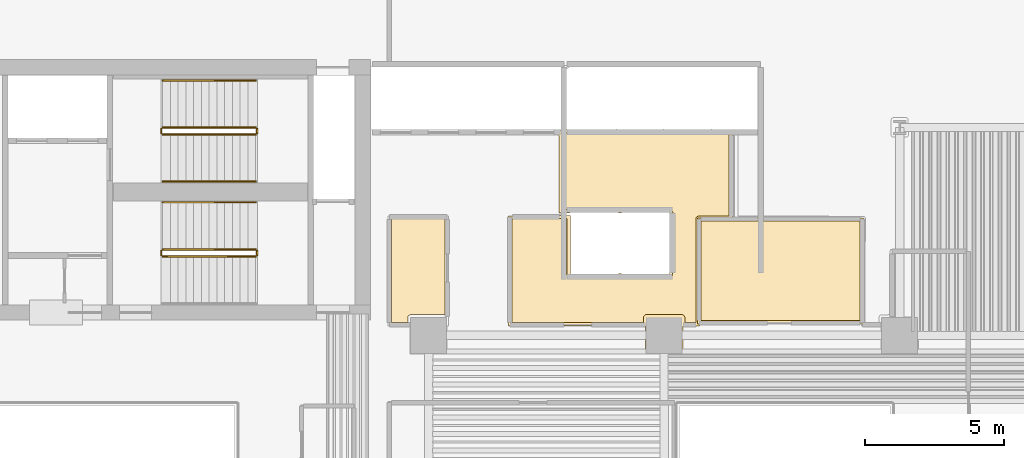
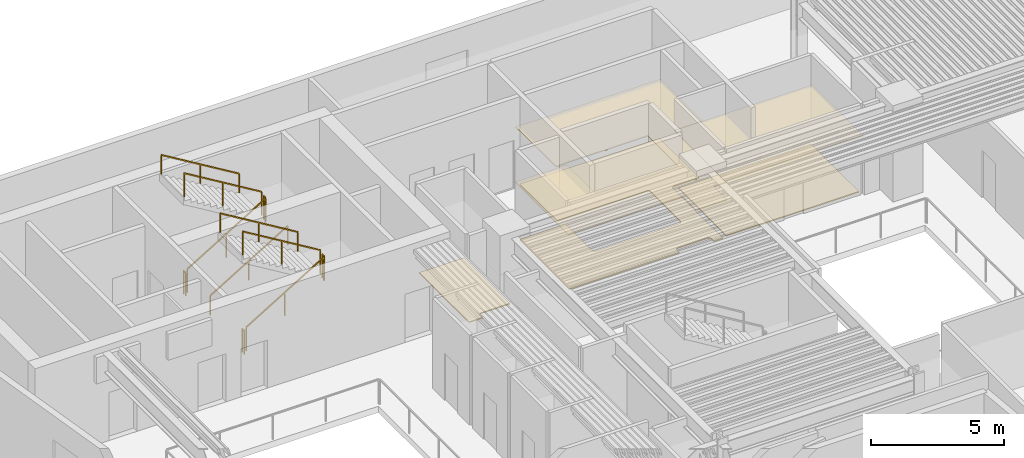
# One storey, part 11 of 12: 11 railings, 5 coverings.
"""IFC4 building model written with IfcOpenShell, lengths in metres."""

from ifc_helpers import new_model, si_unit, direction, frame, origin, origin_2d, place, context, subcontext, project, spatial, polyline, rectangle, outline, extrude, material, layer, layer_set, type_object, element, save


model = new_model("IFC4")

# Units and contexts
model_context = context("Model", 3, precision=1e-05, world=origin(), true_north=direction((0.0, 1.0)))
body_context = subcontext(model_context, "Body", "Model", "MODEL_VIEW")
ifc_project = project(units=[si_unit("LENGTHUNIT", "METRE"), si_unit("AREAUNIT", "SQUARE_METRE"), si_unit("VOLUMEUNIT", "CUBIC_METRE"), si_unit("PLANEANGLEUNIT", "RADIAN"), si_unit("MASSUNIT", "GRAM", prefix="KILO")], contexts=[model_context])

# Site, building, storey
site_placement = place(None, origin())
site = spatial("IfcSite", under=ifc_project, at=site_placement, CompositionType="ELEMENT")
building_placement = place(site_placement, origin())
building = spatial("IfcBuilding", under=site, at=building_placement, Name="Caeloran Harvest Quay", CompositionType="ELEMENT")
storey_placement = place(building_placement, frame((0.0, 0.0, 93.0)))
storey = spatial("IfcBuildingStorey", under=building, at=storey_placement, Name="L21", CompositionType="ELEMENT", Elevation=93.0)

# Coverings
ifc_material_1 = material(Name="Perforated Mineral-Fibre Acoustic Ceiling Tile", Category="ceiling")
ifc_layer_1 = layer(ifc_material_1, 0.0400390625, Name="Perforated Mineral-Fibre Acoustic Ceiling Tile")
ifc_layer_set_1 = layer_set([ifc_layer_1], Name="Perforated Mineral-Fibre Acoustic Ceiling Tile")
covering_type_1 = type_object("IfcCoveringType", Name="COV-CEILING-ACOUSTIC", PredefinedType="CEILING", material=ifc_layer_set_1)
covering_1_placement = place(storey_placement, frame((0.0, 0.0, 2.60009765625)))
element("IfcCovering", 1, at=covering_1_placement, inside=storey, type_object=covering_type_1, Name="L21 Core Telemetry Control Room Acoustic Ceiling", PredefinedType="CEILING", context=body_context, shape_type="SweptSolid", body=[
    extrude(outline(polyline([(41.18994140625, 35.239990234375), (41.18994140625, 31.409912109375), (35.2099609375, 31.409912109375), (35.2099609375, 35.239990234375), (41.18994140625, 35.239990234375)])), origin(), (0.0, 0.0, 1.0), 0.039794921875),
])
covering_2_placement = place(storey_placement, frame((0.0, 0.0, 2.60009765625)))
element("IfcCovering", 2, at=covering_2_placement, inside=storey, type_object=covering_type_1, Name="Executive Agronomy Design Studio 8 Acoustic Ceiling", PredefinedType="CEILING", context=body_context, shape_type="SweptSolid", body=[
    extrude(outline(polyline([(34.669921875, 30.330078125), (33.330078125, 30.330078125), (33.330078125, 31.340087890625), (28.389892578125, 31.340087890625), (28.389892578125, 35.31005859375), (30.212890625, 35.31005859375), (30.22021484375, 35.330078125), (30.610107421875, 35.330078125), (30.610107421875, 33.2099609375), (32.34130859375, 33.2099609375), (32.34423828125, 33.2294921875), (32.39990234375, 33.23779296875), (32.452880859375, 33.22998046875), (32.4580078125, 33.2099609375), (34.18994140625, 33.2099609375), (34.18994140625, 35.43994140625), (32.458740234375, 35.43994140625), (32.455810546875, 35.42041015625), (32.39990234375, 35.412109375), (32.346923828125, 35.420166015625), (32.342041015625, 35.43994140625), (30.607177734375, 35.43994140625), (30.599853515625, 35.419921875), (30.2099609375, 35.419921875), (30.2099609375, 38.212890625), (30.18994140625, 38.22021484375), (30.18994140625, 38.409912109375), (30.27294921875, 38.409912109375), (30.280029296875, 38.429931640625), (30.599853515625, 38.429931640625), (30.607177734375, 38.409912109375), (32.211181640625, 38.409912109375), (32.214111328125, 38.429443359375), (32.27001953125, 38.437744140625), (32.322998046875, 38.429931640625), (32.327880859375, 38.409912109375), (33.931396484375, 38.409912109375), (33.93408203125, 38.429443359375), (33.989990234375, 38.437744140625), (34.04296875, 38.429931640625), (34.0478515625, 38.409912109375), (35.6513671875, 38.409912109375), (35.654296875, 38.429443359375), (35.7099609375, 38.437744140625), (35.762939453125, 38.429931640625), (35.767822265625, 38.409912109375), (36.4599609375, 38.409912109375), (36.4599609375, 35.18994140625), (35.260009765625, 35.18994140625), (35.260009765625, 31.45703125), (35.280029296875, 31.449951171875), (35.280029296875, 31.340087890625), (34.669921875, 31.340087890625), (34.669921875, 30.330078125)])), origin(), (0.0, 0.0, 1.0), 0.039794921875),
])
ifc_material_2 = material(Name="Calcium-Sulphate Raised Access Floor and Terrazzo Finish", Category="flooring")
ifc_layer_2 = layer(ifc_material_2, 0.050048828125, Name="Calcium-Sulphate Raised Access Floor and Terrazzo Finish")
ifc_layer_set_2 = layer_set([ifc_layer_2], Name="Calcium-Sulphate Raised Access Floor and Terrazzo Finish")
covering_type_2 = type_object("IfcCoveringType", Name="COV-FLOOR-RAISED", PredefinedType="FLOORING", material=ifc_layer_set_2)
covering_3_placement = place(storey_placement, origin())
element("IfcCovering", 3, at=covering_3_placement, inside=storey, type_object=covering_type_2, Name="L21 Core Telemetry Control Room Raised Finish Flooring", PredefinedType="FLOORING", context=body_context, shape_type="SweptSolid", body=[
    extrude(outline(polyline([(41.070068359375, 35.1201171875), (41.070068359375, 31.530029296875), (35.330078125, 31.530029296875), (35.330078125, 35.1201171875), (41.070068359375, 35.1201171875)])), origin(), (0.0, 0.0, 1.0), 0.050048828125),
])
covering_4_placement = place(storey_placement, origin())
element("IfcCovering", 4, at=covering_4_placement, inside=storey, type_object=covering_type_2, Name="Partner Boardroom Raised Finish Flooring", PredefinedType="FLOORING", context=body_context, shape_type="SweptSolid", body=[
    extrude(outline(polyline([(24.159912109375, 35.18994140625), (26.090087890625, 35.18994140625), (26.090087890625, 31.7451171875), (24.8271484375, 31.74462890625), (24.75830078125, 31.688232421875), (24.7548828125, 31.4599609375), (24.159912109375, 31.4599609375), (24.159912109375, 35.18994140625)])), origin(), (0.0, 0.0, 1.0), 0.050048828125),
])
covering_5_placement = place(storey_placement, origin())
element("IfcCovering", 5, at=covering_5_placement, inside=storey, type_object=covering_type_2, Name="Executive Agronomy Design Studio 8 Raised Finish Flooring", PredefinedType="FLOORING", context=body_context, shape_type="SweptSolid", body=[
    extrude(outline(polyline([(30.31005859375, 38.283203125), (30.343017578125, 38.31005859375), (36.340087890625, 38.2900390625), (36.340087890625, 35.31005859375), (35.2431640625, 35.309814453125), (35.17724609375, 35.282470703125), (35.141357421875, 35.217529296875), (35.139892578125, 31.4599609375), (34.7451171875, 31.4599609375), (34.74169921875, 31.688232421875), (34.6650390625, 31.7451171875), (33.3193359375, 31.743408203125), (33.256591796875, 31.6806640625), (33.2548828125, 31.4599609375), (28.510009765625, 31.4599609375), (28.510009765625, 35.18994140625), (30.489990234375, 35.2099609375), (30.489990234375, 33.196044921875), (30.564208984375, 33.095947265625), (34.199951171875, 33.090087890625), (34.2666015625, 33.112548828125), (34.306396484375, 33.171875), (34.31005859375, 35.449951171875), (34.25537109375, 35.545166015625), (30.330078125, 35.5400390625), (30.31005859375, 38.283203125)])), origin(), (0.0, 0.0, 1.0), 0.050048828125),
])

# Railings
ifc_material_3 = material(Name="Painted Steel Baluster and Top-Rail Stair Guard", Category="steel")
ifc_layer_3 = layer(ifc_material_3, 0.050048828125, Name="Painted Steel Baluster and Top-Rail Stair Guard")
ifc_layer_set_3 = layer_set([ifc_layer_3], Name="Painted Steel Baluster and Top-Rail Stair Guard")
railing_type_1 = type_object("IfcRailingType", Name="STAIR-GUARD-1100", PredefinedType="GUARDRAIL", material=ifc_layer_set_3)
railing_1_placement = place(storey_placement, frame((15.89990234375, 38.25, 0.169189453125)))
element("IfcRailing", 6, at=railing_1_placement, inside=storey, type_object=railing_type_1, Name="L21 ST-C1 stair guard 1", PredefinedType="GUARDRAIL", context=body_context, shape_type="SweptSolid", body=[
    extrude(rectangle(XDim=0.048095703125, YDim=0.048095703125, at=origin_2d()), frame((0.0, 0.0, 1.076171875), z_axis=(0.855836976705, 0.0, 0.517245656632), x_axis=(0.0, 1.0, 0.0)), (0.0, 0.0, 1.0), 3.926025390625),
    extrude(rectangle(XDim=0.0419921875, YDim=0.0419921875, at=origin_2d()), origin(), (0.0, 0.0, 1.0), 1.052001953125),
    extrude(rectangle(XDim=0.0419921875, YDim=0.0419921875, at=origin_2d()), frame((1.68017578125, 0.0, 1.015380859375)), (0.0, 0.0, 1.0), 1.052001953125),
    extrude(rectangle(XDim=0.0419921875, YDim=0.0419921875, at=origin_2d()), frame((3.360107421875, 0.0, 2.03076171875)), (0.0, 0.0, 1.0), 1.052001953125),
])
railing_2_placement = place(storey_placement, frame((19.31005859375, 38.300048828125, 2.199951171875)))
element("IfcRailing", 7, at=railing_2_placement, inside=storey, type_object=railing_type_1, Name="L21 ST-C1 stair guard 2", PredefinedType="GUARDRAIL", context=body_context, shape_type="SweptSolid", body=[
    extrude(rectangle(XDim=0.048095703125, YDim=0.048095703125, at=origin_2d()), frame((0.0, 0.0, 1.076171875), z_axis=(0.0, 1.0, 0.0), x_axis=(-1.0, 0.0, 0.0)), (0.0, 0.0, 1.0), 0.14990234375),
    extrude(rectangle(XDim=0.0419921875, YDim=0.0419921875, at=origin_2d()), origin(), (0.0, 0.0, 1.0), 1.052001953125),
    extrude(rectangle(XDim=0.0419921875, YDim=0.0419921875, at=origin_2d()), frame((0.0, 0.14990234375, 0.0)), (0.0, 0.0, 1.0), 1.052001953125),
])
railing_3_placement = place(storey_placement, frame((19.260009765625, 38.5, 2.369140625)))
element("IfcRailing", 8, at=railing_3_placement, inside=storey, type_object=railing_type_1, Name="L21 ST-C1 stair guard 3", PredefinedType="GUARDRAIL", context=body_context, shape_type="SweptSolid", body=[
    extrude(rectangle(XDim=0.048095703125, YDim=0.048095703125, at=origin_2d()), frame((0.0, 0.0, 1.076171875), z_axis=(-0.855836976705, 0.0, 0.517245656632), x_axis=(0.0, -1.0, 0.0)), (0.0, 0.0, 1.0), 3.926025390625),
    extrude(rectangle(XDim=0.0419921875, YDim=0.0419921875, at=origin_2d()), origin(), (0.0, 0.0, 1.0), 1.052001953125),
    extrude(rectangle(XDim=0.0419921875, YDim=0.0419921875, at=origin_2d()), frame((-1.68017578125, 0.0, 1.015380859375)), (0.0, 0.0, 1.0), 1.052001953125),
    extrude(rectangle(XDim=0.0419921875, YDim=0.0419921875, at=origin_2d()), frame((-3.360107421875, 0.0, 2.03076171875)), (0.0, 0.0, 1.0), 1.052001953125),
])
railing_4_placement = place(storey_placement, frame((15.85009765625, 38.300048828125, 0.0)))
element("IfcRailing", 9, at=railing_4_placement, inside=storey, type_object=railing_type_1, Name="L21 ST-C1 stair guard 4", PredefinedType="GUARDRAIL", context=body_context, shape_type="SweptSolid", body=[
    extrude(rectangle(XDim=0.048095703125, YDim=0.048095703125, at=origin_2d()), frame((0.0, 0.0, 1.076171875), z_axis=(0.0, 1.0, 0.0), x_axis=(-1.0, 0.0, 0.0)), (0.0, 0.0, 1.0), 0.14990234375),
    extrude(rectangle(XDim=0.0419921875, YDim=0.0419921875, at=origin_2d()), origin(), (0.0, 0.0, 1.0), 1.052001953125),
    extrude(rectangle(XDim=0.0419921875, YDim=0.0419921875, at=origin_2d()), frame((0.0, 0.14990234375, 0.0)), (0.0, 0.0, 1.0), 1.052001953125),
])
railing_5_placement = place(storey_placement, frame((15.89990234375, 33.85009765625, 0.169189453125)))
element("IfcRailing", 10, at=railing_5_placement, inside=storey, type_object=railing_type_1, Name="L21 ST-C2 stair guard 1", PredefinedType="GUARDRAIL", context=body_context, shape_type="SweptSolid", body=[
    extrude(rectangle(XDim=0.048095703125, YDim=0.048095703125, at=origin_2d()), frame((0.0, 0.0, 1.076171875), z_axis=(0.855836976705, 0.0, 0.517245656632), x_axis=(0.0, 1.0, 0.0)), (0.0, 0.0, 1.0), 3.926025390625),
    extrude(rectangle(XDim=0.0419921875, YDim=0.0419921875, at=origin_2d()), origin(), (0.0, 0.0, 1.0), 1.052001953125),
    extrude(rectangle(XDim=0.0419921875, YDim=0.0419921875, at=origin_2d()), frame((1.68017578125, 0.0, 1.015380859375)), (0.0, 0.0, 1.0), 1.052001953125),
    extrude(rectangle(XDim=0.0419921875, YDim=0.0419921875, at=origin_2d()), frame((3.360107421875, 0.0, 2.03076171875)), (0.0, 0.0, 1.0), 1.052001953125),
])
railing_6_placement = place(storey_placement, frame((19.31005859375, 33.89990234375, 2.199951171875)))
element("IfcRailing", 11, at=railing_6_placement, inside=storey, type_object=railing_type_1, Name="L21 ST-C2 stair guard 2", PredefinedType="GUARDRAIL", context=body_context, shape_type="SweptSolid", body=[
    extrude(rectangle(XDim=0.048095703125, YDim=0.048095703125, at=origin_2d()), frame((0.0, 0.0, 1.076171875), z_axis=(0.0, 1.0, 0.0), x_axis=(-1.0, 0.0, 0.0)), (0.0, 0.0, 1.0), 0.150146484375),
    extrude(rectangle(XDim=0.0419921875, YDim=0.0419921875, at=origin_2d()), origin(), (0.0, 0.0, 1.0), 1.052001953125),
    extrude(rectangle(XDim=0.0419921875, YDim=0.0419921875, at=origin_2d()), frame((0.0, 0.150146484375, 0.0)), (0.0, 0.0, 1.0), 1.052001953125),
])
railing_7_placement = place(storey_placement, frame((19.260009765625, 34.10009765625, 2.369140625)))
element("IfcRailing", 12, at=railing_7_placement, inside=storey, type_object=railing_type_1, Name="L21 ST-C2 stair guard 3", PredefinedType="GUARDRAIL", context=body_context, shape_type="SweptSolid", body=[
    extrude(rectangle(XDim=0.048095703125, YDim=0.048095703125, at=origin_2d()), frame((0.0, 0.0, 1.076171875), z_axis=(-0.855836976705, 0.0, 0.517245656632), x_axis=(0.0, -1.0, 0.0)), (0.0, 0.0, 1.0), 3.926025390625),
    extrude(rectangle(XDim=0.0419921875, YDim=0.0419921875, at=origin_2d()), origin(), (0.0, 0.0, 1.0), 1.052001953125),
    extrude(rectangle(XDim=0.0419921875, YDim=0.0419921875, at=origin_2d()), frame((-1.68017578125, 0.0, 1.015380859375)), (0.0, 0.0, 1.0), 1.052001953125),
    extrude(rectangle(XDim=0.0419921875, YDim=0.0419921875, at=origin_2d()), frame((-3.360107421875, 0.0, 2.03076171875)), (0.0, 0.0, 1.0), 1.052001953125),
])
railing_8_placement = place(storey_placement, frame((15.85009765625, 33.89990234375, 0.0)))
element("IfcRailing", 13, at=railing_8_placement, inside=storey, type_object=railing_type_1, Name="L21 ST-C2 stair guard 4", PredefinedType="GUARDRAIL", context=body_context, shape_type="SweptSolid", body=[
    extrude(rectangle(XDim=0.048095703125, YDim=0.048095703125, at=origin_2d()), frame((0.0, 0.0, 1.076171875), z_axis=(0.0, 1.0, 0.0), x_axis=(-1.0, 0.0, 0.0)), (0.0, 0.0, 1.0), 0.150146484375),
    extrude(rectangle(XDim=0.0419921875, YDim=0.0419921875, at=origin_2d()), origin(), (0.0, 0.0, 1.0), 1.052001953125),
    extrude(rectangle(XDim=0.0419921875, YDim=0.0419921875, at=origin_2d()), frame((0.0, 0.150146484375, 0.0)), (0.0, 0.0, 1.0), 1.052001953125),
])
ifc_material_4 = material(Name="Brushed Stainless Steel Grade 304", Category="steel")
ifc_layer_4 = layer(ifc_material_4, 0.050048828125, Name="Brushed Stainless Steel Grade 304")
ifc_layer_set_4 = layer_set([ifc_layer_4], Name="Brushed Stainless Steel Grade 304")
railing_type_2 = type_object("IfcRailingType", Name="STAIR-HANDRAIL-900", PredefinedType="HANDRAIL", material=ifc_layer_set_4)
railing_9_placement = place(storey_placement, frame((15.89990234375, 36.550048828125, 0.169189453125)))
element("IfcRailing", 14, at=railing_9_placement, inside=storey, type_object=railing_type_2, Name="L21 ST-C1 stair handrail 1", PredefinedType="HANDRAIL", context=body_context, shape_type="SweptSolid", body=[
    extrude(rectangle(XDim=0.048095703125, YDim=0.048095703125, at=origin_2d()), frame((0.0, 0.0, 0.8759765625), z_axis=(0.855836976705, 0.0, 0.517245656632), x_axis=(0.0, 1.0, 0.0)), (0.0, 0.0, 1.0), 3.926025390625),
    extrude(rectangle(XDim=0.0419921875, YDim=0.0419921875, at=origin_2d()), origin(), (0.0, 0.0, 1.0), 0.851806640625),
    extrude(rectangle(XDim=0.0419921875, YDim=0.0419921875, at=origin_2d()), frame((1.68017578125, 0.0, 1.015380859375)), (0.0, 0.0, 1.0), 0.851806640625),
    extrude(rectangle(XDim=0.0419921875, YDim=0.0419921875, at=origin_2d()), frame((3.360107421875, 0.0, 2.03076171875)), (0.0, 0.0, 1.0), 0.851806640625),
])
for number, where, name in (
    (15, (19.260009765625, 40.199951171875, 2.369140625), "L21 ST-C1 stair handrail 2"),
    (16, (19.260009765625, 35.800048828125, 2.369140625), "L21 ST-C2 stair handrail 2"),
):
    element("IfcRailing", number, at=place(storey_placement, frame(where)), inside=storey, type_object=railing_type_2, Name=name, PredefinedType="HANDRAIL", context=body_context, shape_type="SweptSolid", body=[
        extrude(rectangle(XDim=0.048095703125, YDim=0.048095703125, at=origin_2d()), frame((0.0, 0.0, 0.8759765625), z_axis=(-0.855836976705, 0.0, 0.517245656632), x_axis=(0.0, -1.0, 0.0)), (0.0, 0.0, 1.0), 3.926025390625),
        extrude(rectangle(XDim=0.0419921875, YDim=0.0419921875, at=origin_2d()), origin(), (0.0, 0.0, 1.0), 0.851806640625),
        extrude(rectangle(XDim=0.0419921875, YDim=0.0419921875, at=origin_2d()), frame((-1.68017578125, 0.0, 1.015380859375)), (0.0, 0.0, 1.0), 0.851806640625),
        extrude(rectangle(XDim=0.0419921875, YDim=0.0419921875, at=origin_2d()), frame((-3.360107421875, 0.0, 2.03076171875)), (0.0, 0.0, 1.0), 0.851806640625),
    ])

save(model, "model.ifc")
